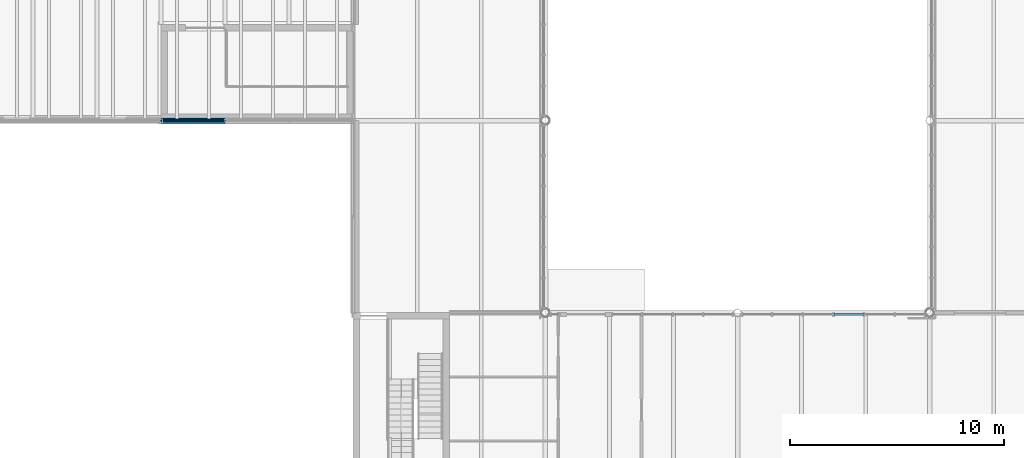
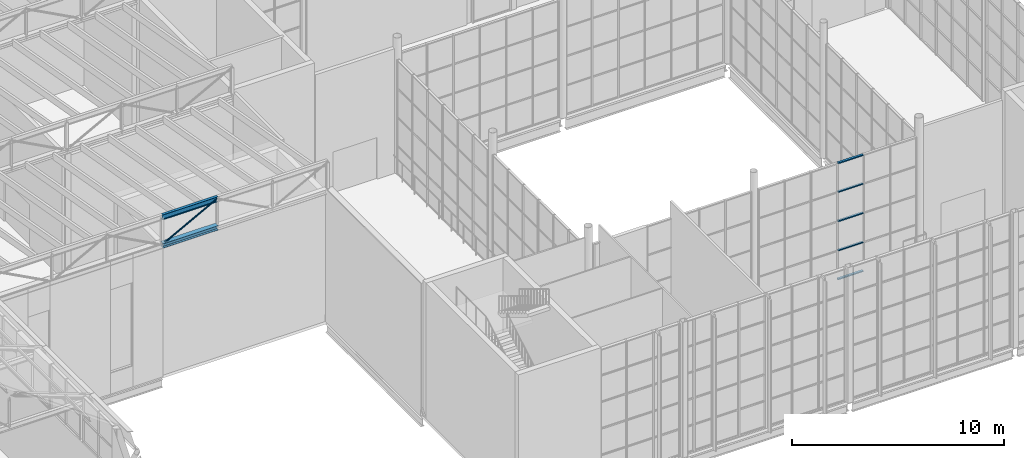
# One storey, part 49 of 90: 8 members, 1 element without a shape of its own.
"""IFC4 building model written with IfcOpenShell, lengths in metres."""

from ifc_helpers import new_model, si_unit, direction, frame, origin, origin_2d, place, context, subcontext, project, spatial, rectangle, hollow_circle, i_section, extrude, material, layer, layer_set, material_profile, profile_set, type_object, element, aggregate, save


model = new_model("IFC4")

# Units and contexts
model_context = context("Model", 3, precision=1e-05, world=origin(), true_north=direction((0.0, 1.0)))
body_context = subcontext(model_context, "Body", "Model", "MODEL_VIEW")
ifc_project = project(units=[si_unit("LENGTHUNIT", "METRE"), si_unit("AREAUNIT", "SQUARE_METRE"), si_unit("VOLUMEUNIT", "CUBIC_METRE"), si_unit("PLANEANGLEUNIT", "RADIAN"), si_unit("MASSUNIT", "GRAM", prefix="KILO")], contexts=[model_context])

# Site, building, storey
site_placement = place(None, origin())
site = spatial("IfcSite", under=ifc_project, at=site_placement, CompositionType="ELEMENT")
building_placement = place(site_placement, origin())
building = spatial("IfcBuilding", under=site, at=building_placement, Name="Halyard Row Museum", CompositionType="ELEMENT")
storey_placement = place(building_placement, frame((0.0, 0.0, 13.39990234375)))
storey = spatial("IfcBuildingStorey", under=building, at=storey_placement, Name="L03", CompositionType="ELEMENT", Elevation=13.39990234375)

# Curtain wall, members
ifc_material_1 = material(Name="Fire-resisting laminated glazing", Category="glass")
ifc_layer = layer(ifc_material_1, 0.159912109375)
ifc_layer_set = layer_set([ifc_layer], Name="Fire-resisting laminated glazing")
curtain_wall_type = type_object("IfcCurtainWallType", Name="Curtain wall atrium screen 160 deep", PredefinedType="NOTDEFINED", material=ifc_layer_set)
curtain_wall_placement = place(storey_placement, origin())
curtain_wall = element("IfcCurtainWall", 1, at=curtain_wall_placement, inside=storey, type_object=curtain_wall_type, Name="Curtain wall CW095", PredefinedType="NOTDEFINED")
ifc_material_2 = material(Name="Powder-coated aluminium section", Category="aluminium")
ifc_material_profile_1 = material_profile(ifc_material_2, rectangle(XDim=0.1201171875, YDim=0.06005859375, at=origin_2d()), Name="120x60 transom")
ifc_profile_set_1 = profile_set([ifc_material_profile_1], Name="Powder-coated aluminium section")
member_type_1 = type_object("IfcMemberType", Name="Curtain wall transom CT5 60 x 120", PredefinedType="USERDEFINED", material=ifc_profile_set_1)
member_1_placement = place(storey_placement, frame((94.517333984375, 8.919921875, 0.030029296875), z_axis=(1.0, 0.0, 0.0), x_axis=(0.0, 1.0, 0.0)))
member_1 = element("IfcMember", 2, at=member_1_placement, type_object=member_type_1, Name="CW095 transom 4.1", ObjectType="TRANSOM", PredefinedType="USERDEFINED", context=body_context, shape_type="SweptSolid", body=[
    extrude(rectangle(XDim=0.1201171875, YDim=0.06005859375, at=origin_2d()), origin(), (0.0, 0.0, 1.0), 1.37646484375),
])
member_2_placement = place(storey_placement, frame((94.517333984375, 8.919921875, 1.68310546875), z_axis=(1.0, 0.0, 0.0), x_axis=(0.0, 1.0, 0.0)))
member_2 = element("IfcMember", 3, at=member_2_placement, type_object=member_type_1, Name="CW095 transom 4.2", ObjectType="TRANSOM", PredefinedType="USERDEFINED", context=body_context, shape_type="SweptSolid", body=[
    extrude(rectangle(XDim=0.1201171875, YDim=0.06005859375, at=origin_2d()), origin(), (0.0, 0.0, 1.0), 1.37646484375),
])
member_3_placement = place(storey_placement, frame((94.517333984375, 8.919921875, 3.3662109375), z_axis=(1.0, 0.0, 0.0), x_axis=(0.0, 1.0, 0.0)))
member_3 = element("IfcMember", 4, at=member_3_placement, type_object=member_type_1, Name="CW095 transom 4.3", ObjectType="TRANSOM", PredefinedType="USERDEFINED", context=body_context, shape_type="SweptSolid", body=[
    extrude(rectangle(XDim=0.1201171875, YDim=0.06005859375, at=origin_2d()), origin(), (0.0, 0.0, 1.0), 1.37646484375),
])
member_4_placement = place(storey_placement, frame((94.517333984375, 8.919921875, 5.049072265625), z_axis=(1.0, 0.0, 0.0), x_axis=(0.0, 1.0, 0.0)))
member_4 = element("IfcMember", 5, at=member_4_placement, type_object=member_type_1, Name="CW095 transom 4.4", ObjectType="TRANSOM", PredefinedType="USERDEFINED", context=body_context, shape_type="SweptSolid", body=[
    extrude(rectangle(XDim=0.1201171875, YDim=0.06005859375, at=origin_2d()), origin(), (0.0, 0.0, 1.0), 1.37646484375),
])
member_5_placement = place(storey_placement, frame((94.517333984375, 8.919921875, 6.7021484375), z_axis=(1.0, 0.0, 0.0), x_axis=(0.0, 1.0, 0.0)))
member_5 = element("IfcMember", 6, at=member_5_placement, type_object=member_type_1, Name="CW095 transom 4.5", ObjectType="TRANSOM", PredefinedType="USERDEFINED", context=body_context, shape_type="SweptSolid", body=[
    extrude(rectangle(XDim=0.1201171875, YDim=0.06005859375, at=origin_2d()), origin(), (0.0, 0.0, 1.0), 1.37646484375),
])
aggregate(curtain_wall, [member_1, member_2, member_3, member_4, member_5])

# Members
ifc_material_3 = material(Name="Steel Grade 300", Category="steel")
ifc_material_profile_2 = material_profile(ifc_material_3, i_section(OverallWidth=0.25390625, OverallDepth=0.25390625, WebThickness=0.008544921875, FlangeThickness=0.01416015625, FilletRadius=0.013916015625, at=origin_2d()), Name="250UC72.9")
ifc_profile_set_2 = profile_set([ifc_material_profile_2], Name="Steel Grade 300")
member_type_2 = type_object("IfcMemberType", Name="Valley truss bottom chord 250UC72.9", PredefinedType="CHORD", material=ifc_profile_set_2)
member_6_placement = place(storey_placement, frame((63.0, 18.0, 7.527099609375), z_axis=(1.0, 0.0, 0.0), x_axis=(0.0, 1.0, 0.0)))
element("IfcMember", 7, at=member_6_placement, inside=storey, type_object=member_type_2, Name="V1-VT1 bottom chord 5.1", PredefinedType="CHORD", context=body_context, shape_type="SweptSolid", body=[
    extrude(i_section(OverallWidth=0.25390625, OverallDepth=0.25390625, WebThickness=0.008544921875, FlangeThickness=0.01416015625, FilletRadius=0.013916015625, at=origin_2d()), origin(), (0.0, 0.0, 1.0), 3.0),
])
ifc_material_4 = material(Name="Steel Grade C250L0", Category="steel")
ifc_material_profile_3 = material_profile(ifc_material_4, hollow_circle(Radius=0.04443359375, WallThickness=0.0048828125, at=origin_2d()), Name="88.9x5.0CHS")
ifc_profile_set_3 = profile_set([ifc_material_profile_3], Name="Steel Grade C250L0")
member_type_3 = type_object("IfcMemberType", Name="Valley truss diagonal 88.9x5.0CHS", PredefinedType="BRACE", material=ifc_profile_set_3)
member_7_placement = place(storey_placement, frame((63.0, 18.0, 7.527099609375), z_axis=(0.881863759518, 0.0, 0.471504305016), x_axis=(0.0, 1.0, 0.0)))
element("IfcMember", 8, at=member_7_placement, inside=storey, type_object=member_type_3, Name="V1-VT1 diagonal 5.1", PredefinedType="BRACE", context=body_context, shape_type="SweptSolid", body=[
    extrude(hollow_circle(Radius=0.04443359375, WallThickness=0.0048828125, at=origin_2d()), origin(), (0.0, 0.0, 1.0), 3.40185546875),
])
ifc_material_5 = material(Name="Steel Grade 300", Category="steel")
ifc_material_profile_4 = material_profile(ifc_material_5, i_section(OverallWidth=0.14892578125, OverallDepth=0.298095703125, WebThickness=0.005615234375, FlangeThickness=0.008056640625, FilletRadius=0.012939453125, at=origin_2d()), Name="310UB32.0")
ifc_profile_set_4 = profile_set([ifc_material_profile_4], Name="Steel Grade 300")
member_type_4 = type_object("IfcMemberType", Name="Valley truss top chord 310UB32.0", PredefinedType="CHORD", material=ifc_profile_set_4)
member_8_placement = place(storey_placement, frame((63.0, 18.0, 9.131103515625), z_axis=(1.0, 0.0, 0.0), x_axis=(0.0, 1.0, 0.0)))
element("IfcMember", 9, at=member_8_placement, inside=storey, type_object=member_type_4, Name="V1-VT1 top chord 5.1", PredefinedType="CHORD", context=body_context, shape_type="SweptSolid", body=[
    extrude(i_section(OverallWidth=0.14892578125, OverallDepth=0.298095703125, WebThickness=0.005615234375, FlangeThickness=0.008056640625, FilletRadius=0.012939453125, at=origin_2d()), origin(), (0.0, 0.0, 1.0), 3.0),
])

save(model, "model.ifc")
